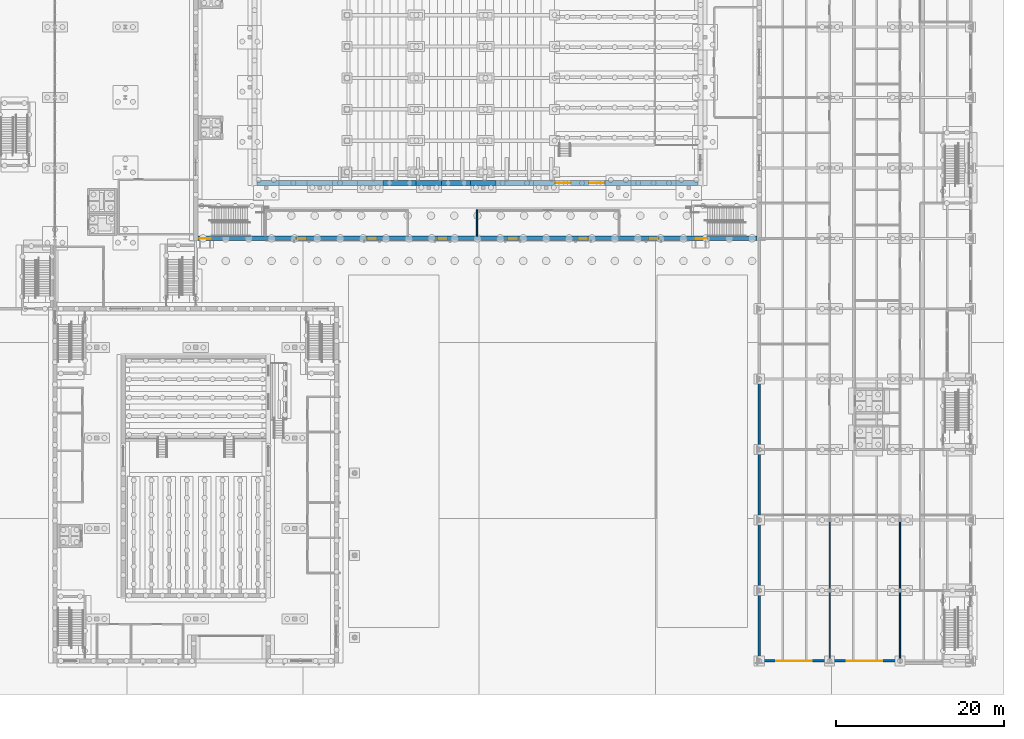
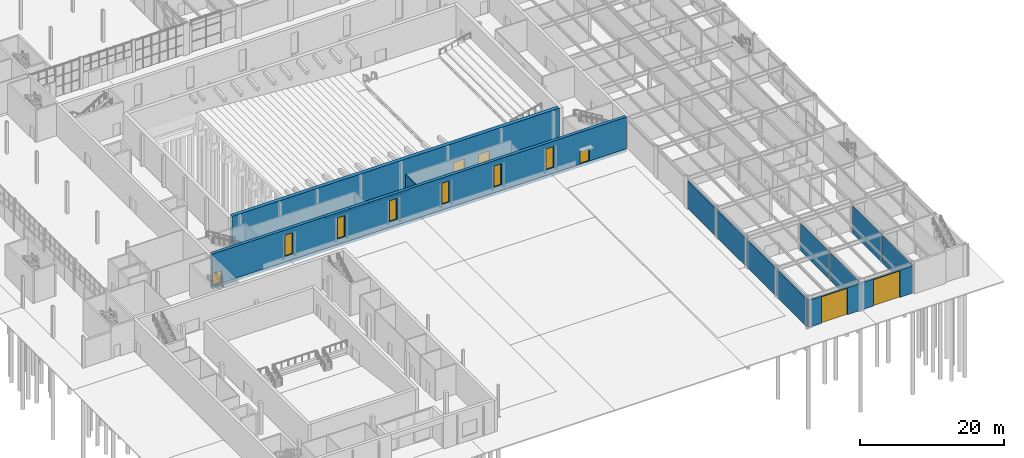
# One storey, part 60 of 127: 18 walls, 6 doors, 6 windows, 12 openings.
"""IFC4 building model written with IfcOpenShell, lengths in metres."""

from ifc_helpers import new_model, si_unit, direction, frame, frame_2d, origin, place, context, subcontext, project, spatial, rectangle, extrude, material, layer, layer_set, type_object, element, fill, save


model = new_model("IFC4")

# Units and contexts
model_context = context("Model", 3, precision=1e-05, world=origin(), true_north=direction((0.0, 1.0)))
body_context = subcontext(model_context, "Body", "Model", "MODEL_VIEW")
ifc_project = project(units=[si_unit("LENGTHUNIT", "METRE"), si_unit("AREAUNIT", "SQUARE_METRE"), si_unit("VOLUMEUNIT", "CUBIC_METRE"), si_unit("PLANEANGLEUNIT", "RADIAN"), si_unit("MASSUNIT", "GRAM", prefix="KILO")], contexts=[model_context])

# Site, building, storey
site_placement = place(None, origin())
site = spatial("IfcSite", under=ifc_project, at=site_placement, CompositionType="ELEMENT")
building_placement = place(site_placement, origin())
building = spatial("IfcBuilding", under=site, at=building_placement, Name="Ljudholm Concert House", CompositionType="ELEMENT")
storey_placement = place(building_placement, origin())
storey = spatial("IfcBuildingStorey", under=building, at=storey_placement, Name="L00", CompositionType="ELEMENT", Elevation=0.0)

# Walls
ifc_material_1 = material(Name="Gypsum board on steel studs", Category="steel")
ifc_layer_1 = layer(ifc_material_1, 0.14990234375)
ifc_layer_set_1 = layer_set([ifc_layer_1], Name="Gypsum board on steel studs")
wall_type_1 = type_object("IfcWallType", Name="GYPSUM PARTITION 150", PredefinedType="PARTITIONING", material=ifc_layer_set_1)
wall_1_placement = place(storey_placement, frame((62.72509765625, 54.64990234375, 0.0), z_axis=(0.0, 0.0, 1.0), x_axis=(0.0, 1.0, 0.0)))
element("IfcWall", 1, at=wall_1_placement, inside=storey, type_object=wall_type_1, Name="Acoustic Plant Room partition", PredefinedType="PARTITIONING", context=body_context, shape_type="SweptSolid", body=[
    extrude(rectangle(XDim=3.150146484375, YDim=0.14990234375, at=frame_2d((1.5751953125, 0.0))), origin(), (0.0, 0.0, 1.0), 5.14990234375),
])
for number, where, z_axis, x_axis, name in (
    (2, (104.800048828125, 4.186767578125, 0.0), (0.0, 0.0, 1.0), (0.0, 1.0, 0.0), "Partition"),
    (3, (104.800048828125, 12.586669921875, 0.0), (0.0, 0.0, 1.0), (0.0, 1.0, 0.0), "Partition"),
    (4, (113.199951171875, 4.186767578125, 0.0), (0.0, 0.0, 1.0), (0.0, 1.0, 0.0), "Partition"),
    (5, (113.199951171875, 12.586669921875, 0.0), (0.0, 0.0, 1.0), (0.0, 1.0, 0.0), "Partition"),
):
    element("IfcWall", number, at=place(storey_placement, frame(where, z_axis=z_axis, x_axis=x_axis)), inside=storey, type_object=wall_type_1, Name=name, PredefinedType="PARTITIONING", context=body_context, shape_type="SweptSolid", body=[
        extrude(rectangle(XDim=8.026611328125, YDim=0.14990234375, at=frame_2d((4.01318359375, 0.0))), origin(), (0.0, 0.0, 1.0), 4.6865234375),
    ])
ifc_material_2 = material(Name="Precast concrete 5,000 psi", Category="concrete")
ifc_layer_2 = layer(ifc_material_2, 0.300048828125)
ifc_layer_set_2 = layer_set([ifc_layer_2], Name="Precast concrete 5,000 psi")
wall_type_2 = type_object("IfcWallType", Name="PRECAST PANEL WALL 300", PredefinedType="SOLIDWALL", material=ifc_layer_set_2)
for number, where, z_axis, x_axis, name in (
    (6, (96.39990234375, 4.186767578125, 0.0), (0.0, 0.0, 1.0), (0.0, 1.0, 0.0), "Facade wall"),
    (7, (96.39990234375, 12.586669921875, 0.0), (0.0, 0.0, 1.0), (0.0, 1.0, 0.0), "Facade wall"),
):
    element("IfcWall", number, at=place(storey_placement, frame(where, z_axis=z_axis, x_axis=x_axis)), inside=storey, type_object=wall_type_2, Name=name, PredefinedType="SOLIDWALL", context=body_context, shape_type="SweptSolid", body=[
        extrude(rectangle(XDim=8.026611328125, YDim=0.300048828125, at=frame_2d((4.01318359375, 0.0))), origin(), (0.0, 0.0, 1.0), 4.6865234375),
    ])
wall_2_placement = place(storey_placement, frame((96.39990234375, 20.986572265625, 0.0), z_axis=(0.0, 0.0, 1.0), x_axis=(0.0, 1.0, 0.0)))
element("IfcWall", 8, at=wall_2_placement, inside=storey, type_object=wall_type_2, Name="Facade wall", PredefinedType="SOLIDWALL", context=body_context, shape_type="SweptSolid", body=[
    extrude(rectangle(XDim=8.02685546875, YDim=0.300048828125, at=frame_2d((4.013427734375, 0.0))), origin(), (0.0, 0.0, 1.0), 4.6865234375),
])
wall_3_placement = place(storey_placement, frame((96.39990234375, 29.38671875, 0.0), z_axis=(0.0, 0.0, 1.0), x_axis=(0.0, 1.0, 0.0)))
element("IfcWall", 9, at=wall_3_placement, inside=storey, type_object=wall_type_2, Name="Facade wall", PredefinedType="SOLIDWALL", context=body_context, shape_type="SweptSolid", body=[
    extrude(rectangle(XDim=8.026611328125, YDim=0.300048828125, at=frame_2d((4.01318359375, 0.0))), origin(), (0.0, 0.0, 1.0), 4.6865234375),
])

# Wall, opening, door
wall_4_placement = place(storey_placement, frame((96.408203125, 4.0, 0.0), z_axis=(0.0, 0.0, 1.0), x_axis=(1.0, 0.0, 0.0)))
wall_4 = element("IfcWall", 10, at=wall_4_placement, inside=storey, type_object=wall_type_2, Name="Facade wall", PredefinedType="SOLIDWALL", context=body_context, shape_type="SweptSolid", body=[
    extrude(rectangle(XDim=8.39990234375, YDim=0.300048828125, at=frame_2d((4.199951171875, 0.0))), origin(), (0.0, 0.0, 1.0), 4.60791015625),
])
opening_1_placement = place(wall_4_placement, frame((2.041748046875, 0.0, 0.0)))
opening_1 = element("IfcOpeningElement", 11, at=opening_1_placement, cuts=wall_4, Name="Opening D-W00-007", PredefinedType="OPENING", context=body_context, shape_type="SweptSolid", body=[
    extrude(rectangle(XDim=4.199951171875, YDim=4.5, at=frame_2d((2.10009765625, 2.25))), frame((0.0, 0.159912109375, 0.0), z_axis=(0.0, -1.0, 0.0), x_axis=(1.0, 0.0, 0.0)), (0.0, 0.0, 1.0), 0.320068359375),
])
ifc_material_3 = material(Name="Hollow metal door in steel frame", Category="steel")
door_type_1 = type_object("IfcDoorType", Name="ROLLUP DOOR 4200x4500", OperationType="ROLLINGUP", PredefinedType="DOOR", material=ifc_material_3)
door_1_placement = place(opening_1_placement, frame((4.199951171875, 0.0, 0.0), z_axis=(0.0, 0.0, 1.0), x_axis=(-1.0, 0.0, 0.0)))
door_1 = element("IfcDoor", 12, at=door_1_placement, inside=storey, type_object=door_type_1, Name="Overhead door", OperationType="ROLLINGUP", OverallHeight=4.5, OverallWidth=4.199951171875, PredefinedType="DOOR", context=body_context, shape_type="SweptSolid", body=[
    extrude(rectangle(XDim=4.199951171875, YDim=4.5, at=frame_2d((2.10009765625, 2.25))), frame((0.0, 0.02490234375, 0.0), z_axis=(0.0, -1.0, 0.0), x_axis=(1.0, 0.0, 0.0)), (0.0, 0.0, 1.0), 0.050048828125),
])
fill(opening_1, door_1)

wall_5_placement = place(storey_placement, frame((104.791748046875, 4.0, 0.0), z_axis=(0.0, 0.0, 1.0), x_axis=(1.0, 0.0, 0.0)))
wall_5 = element("IfcWall", 13, at=wall_5_placement, inside=storey, type_object=wall_type_2, Name="Facade wall", PredefinedType="SOLIDWALL", context=body_context, shape_type="SweptSolid", body=[
    extrude(rectangle(XDim=8.400146484375, YDim=0.300048828125, at=frame_2d((4.2001953125, 0.0))), origin(), (0.0, 0.0, 1.0), 4.60791015625),
])
opening_2_placement = place(wall_5_placement, frame((2.05810546875, 0.0, 0.0)))
opening_2 = element("IfcOpeningElement", 14, at=opening_2_placement, cuts=wall_5, Name="Opening D-W00-008", PredefinedType="OPENING", context=body_context, shape_type="SweptSolid", body=[
    extrude(rectangle(XDim=4.199951171875, YDim=4.5, at=frame_2d((2.10009765625, 2.25))), frame((0.0, 0.159912109375, 0.0), z_axis=(0.0, -1.0, 0.0), x_axis=(1.0, 0.0, 0.0)), (0.0, 0.0, 1.0), 0.320068359375),
])
door_2_placement = place(opening_2_placement, frame((4.199951171875, 0.0, 0.0), z_axis=(0.0, 0.0, 1.0), x_axis=(-1.0, 0.0, 0.0)))
door_2 = element("IfcDoor", 15, at=door_2_placement, inside=storey, type_object=door_type_1, Name="Overhead door", OperationType="ROLLINGUP", OverallHeight=4.5, OverallWidth=4.199951171875, PredefinedType="DOOR", context=body_context, shape_type="SweptSolid", body=[
    extrude(rectangle(XDim=4.199951171875, YDim=4.5, at=frame_2d((2.10009765625, 2.25))), frame((0.0, 0.02490234375, 0.0), z_axis=(0.0, -1.0, 0.0), x_axis=(1.0, 0.0, 0.0)), (0.0, 0.0, 1.0), 0.050048828125),
])
fill(opening_2, door_2)

# Wall, openings, doors, windows
ifc_material_4 = material(Name="Concrete 6,500 psi", Category="concrete")
ifc_layer_3 = layer(ifc_material_4, 0.5)
ifc_layer_set_3 = layer_set([ifc_layer_3], Name="Concrete 6,500 psi")
wall_type_3 = type_object("IfcWallType", Name="RC WALL 500", PredefinedType="SOLIDWALL", material=ifc_layer_set_3)
wall_6_placement = place(storey_placement, frame((29.449951171875, 54.39990234375, 0.0), z_axis=(0.0, 0.0, 1.0), x_axis=(1.0, 0.0, 0.0)))
wall_6 = element("IfcWall", 16, at=wall_6_placement, inside=storey, type_object=wall_type_3, Name="Outer wall S", PredefinedType="SOLIDWALL", context=body_context, shape_type="SweptSolid", body=[
    extrude(rectangle(XDim=66.699951171875, YDim=0.5, at=frame_2d((33.35009765625, 0.0))), origin(), (0.0, 0.0, 1.0), 5.39990234375),
])
opening_3_placement = place(wall_6_placement, frame((11.75, 0.0, 0.89990234375)))
opening_3 = element("IfcOpeningElement", 17, at=opening_3_placement, cuts=wall_6, Name="Opening X-H00-001", PredefinedType="OPENING", context=body_context, shape_type="SweptSolid", body=[
    extrude(rectangle(XDim=1.199951171875, YDim=3.60009765625, at=frame_2d((0.60009765625, 1.800048828125))), frame((0.0, 0.260009765625, 0.0), z_axis=(0.0, -1.0, 0.0), x_axis=(1.0, 0.0, 0.0)), (0.0, 0.0, 1.0), 0.52001953125),
])
opening_4_placement = place(wall_6_placement, frame((20.14990234375, 0.0, 0.89990234375)))
opening_4 = element("IfcOpeningElement", 18, at=opening_4_placement, cuts=wall_6, Name="Opening X-H00-002", PredefinedType="OPENING", context=body_context, shape_type="SweptSolid", body=[
    extrude(rectangle(XDim=1.199951171875, YDim=3.60009765625, at=frame_2d((0.60009765625, 1.800048828125))), frame((0.0, 0.260009765625, 0.0), z_axis=(0.0, -1.0, 0.0), x_axis=(1.0, 0.0, 0.0)), (0.0, 0.0, 1.0), 0.52001953125),
])
opening_5_placement = place(wall_6_placement, frame((28.550048828125, 0.0, 0.89990234375)))
opening_5 = element("IfcOpeningElement", 19, at=opening_5_placement, cuts=wall_6, Name="Opening X-H00-003", PredefinedType="OPENING", context=body_context, shape_type="SweptSolid", body=[
    extrude(rectangle(XDim=1.199951171875, YDim=3.60009765625, at=frame_2d((0.60009765625, 1.800048828125))), frame((0.0, 0.260009765625, 0.0), z_axis=(0.0, -1.0, 0.0), x_axis=(1.0, 0.0, 0.0)), (0.0, 0.0, 1.0), 0.52001953125),
])
opening_6_placement = place(wall_6_placement, frame((36.949951171875, 0.0, 0.89990234375)))
opening_6 = element("IfcOpeningElement", 20, at=opening_6_placement, cuts=wall_6, Name="Opening X-H00-004", PredefinedType="OPENING", context=body_context, shape_type="SweptSolid", body=[
    extrude(rectangle(XDim=1.199951171875, YDim=3.60009765625, at=frame_2d((0.60009765625, 1.800048828125))), frame((0.0, 0.260009765625, 0.0), z_axis=(0.0, -1.0, 0.0), x_axis=(1.0, 0.0, 0.0)), (0.0, 0.0, 1.0), 0.52001953125),
])
opening_7_placement = place(wall_6_placement, frame((45.35009765625, 0.0, 0.89990234375)))
opening_7 = element("IfcOpeningElement", 21, at=opening_7_placement, cuts=wall_6, Name="Opening X-H00-005", PredefinedType="OPENING", context=body_context, shape_type="SweptSolid", body=[
    extrude(rectangle(XDim=1.199951171875, YDim=3.60009765625, at=frame_2d((0.60009765625, 1.800048828125))), frame((0.0, 0.260009765625, 0.0), z_axis=(0.0, -1.0, 0.0), x_axis=(1.0, 0.0, 0.0)), (0.0, 0.0, 1.0), 0.52001953125),
])
opening_8_placement = place(wall_6_placement, frame((53.75, 0.0, 0.89990234375)))
opening_8 = element("IfcOpeningElement", 22, at=opening_8_placement, cuts=wall_6, Name="Opening X-H00-006", PredefinedType="OPENING", context=body_context, shape_type="SweptSolid", body=[
    extrude(rectangle(XDim=1.199951171875, YDim=3.60009765625, at=frame_2d((0.60009765625, 1.800048828125))), frame((0.0, 0.260009765625, 0.0), z_axis=(0.0, -1.0, 0.0), x_axis=(1.0, 0.0, 0.0)), (0.0, 0.0, 1.0), 0.52001953125),
])
opening_9_placement = place(wall_6_placement, frame((0.10009765625, 0.0, 0.0)))
opening_9 = element("IfcOpeningElement", 23, at=opening_9_placement, cuts=wall_6, Name="Opening D-H00-007", PredefinedType="OPENING", context=body_context, shape_type="SweptSolid", body=[
    extrude(rectangle(XDim=1.5, YDim=2.10009765625, at=frame_2d((0.75, 1.050048828125))), frame((0.0, 0.260009765625, 0.0), z_axis=(0.0, -1.0, 0.0), x_axis=(1.0, 0.0, 0.0)), (0.0, 0.0, 1.0), 0.52001953125),
])
opening_10_placement = place(wall_6_placement, frame((59.199951171875, 0.0, 0.0)))
opening_10 = element("IfcOpeningElement", 24, at=opening_10_placement, cuts=wall_6, Name="Opening D-H00-011", PredefinedType="OPENING", context=body_context, shape_type="SweptSolid", body=[
    extrude(rectangle(XDim=1.5, YDim=2.10009765625, at=frame_2d((0.75, 1.050048828125))), frame((0.0, 0.260009765625, 0.0), z_axis=(0.0, -1.0, 0.0), x_axis=(1.0, 0.0, 0.0)), (0.0, 0.0, 1.0), 0.52001953125),
])
ifc_material_5 = material(Name="Hollow metal door in steel frame", Category="steel")
door_type_2 = type_object("IfcDoorType", Name="DOUBLE DOOR 1500x2100", OperationType="DOUBLE_DOOR_SINGLE_SWING", PredefinedType="DOOR", material=ifc_material_5)
door_3_placement = place(opening_9_placement, frame((1.5, 0.0, 0.0), z_axis=(0.0, 0.0, 1.0), x_axis=(-1.0, 0.0, 0.0)))
door_3 = element("IfcDoor", 25, at=door_3_placement, inside=storey, type_object=door_type_2, Name="Final exit EH1", OperationType="DOUBLE_DOOR_SINGLE_SWING", OverallHeight=2.10009765625, OverallWidth=1.5, PredefinedType="DOOR", context=body_context, shape_type="SweptSolid", body=[
    extrude(rectangle(XDim=1.5, YDim=2.10009765625, at=frame_2d((0.75, 1.050048828125))), frame((0.0, 0.02490234375, 0.0), z_axis=(0.0, -1.0, 0.0), x_axis=(1.0, 0.0, 0.0)), (0.0, 0.0, 1.0), 0.050048828125),
])
fill(opening_9, door_3)
door_4_placement = place(opening_10_placement, frame((1.5, 0.0, 0.0), z_axis=(0.0, 0.0, 1.0), x_axis=(-1.0, 0.0, 0.0)))
door_4 = element("IfcDoor", 26, at=door_4_placement, inside=storey, type_object=door_type_2, Name="Final exit EH3", OperationType="DOUBLE_DOOR_SINGLE_SWING", OverallHeight=2.10009765625, OverallWidth=1.5, PredefinedType="DOOR", context=body_context, shape_type="SweptSolid", body=[
    extrude(rectangle(XDim=1.5, YDim=2.10009765625, at=frame_2d((0.75, 1.050048828125))), frame((0.0, 0.02490234375, 0.0), z_axis=(0.0, -1.0, 0.0), x_axis=(1.0, 0.0, 0.0)), (0.0, 0.0, 1.0), 0.050048828125),
])
fill(opening_10, door_4)
ifc_material_6 = material(Name="Aluminium frame, impact glazing", Category="aluminium")
window_type = type_object("IfcWindowType", Name="FIXED WINDOW 1200x3600", PartitioningType="SINGLE_PANEL", PredefinedType="WINDOW", material=ifc_material_6)
window_1_placement = place(opening_3_placement, origin())
window_1 = element("IfcWindow", 27, at=window_1_placement, inside=storey, type_object=window_type, Name="Slot window", OverallHeight=3.60009765625, OverallWidth=1.199951171875, PartitioningType="SINGLE_PANEL", PredefinedType="WINDOW", context=body_context, shape_type="SweptSolid", body=[
    extrude(rectangle(XDim=1.199951171875, YDim=3.60009765625, at=frame_2d((0.60009765625, 1.800048828125))), frame((0.0, 0.030029296875, 0.0), z_axis=(0.0, -1.0, 0.0), x_axis=(1.0, 0.0, 0.0)), (0.0, 0.0, 1.0), 0.06005859375),
])
fill(opening_3, window_1)
window_2_placement = place(opening_4_placement, origin())
window_2 = element("IfcWindow", 28, at=window_2_placement, inside=storey, type_object=window_type, Name="Slot window", OverallHeight=3.60009765625, OverallWidth=1.199951171875, PartitioningType="SINGLE_PANEL", PredefinedType="WINDOW", context=body_context, shape_type="SweptSolid", body=[
    extrude(rectangle(XDim=1.199951171875, YDim=3.60009765625, at=frame_2d((0.60009765625, 1.800048828125))), frame((0.0, 0.030029296875, 0.0), z_axis=(0.0, -1.0, 0.0), x_axis=(1.0, 0.0, 0.0)), (0.0, 0.0, 1.0), 0.06005859375),
])
fill(opening_4, window_2)
window_3_placement = place(opening_5_placement, origin())
window_3 = element("IfcWindow", 29, at=window_3_placement, inside=storey, type_object=window_type, Name="Slot window", OverallHeight=3.60009765625, OverallWidth=1.199951171875, PartitioningType="SINGLE_PANEL", PredefinedType="WINDOW", context=body_context, shape_type="SweptSolid", body=[
    extrude(rectangle(XDim=1.199951171875, YDim=3.60009765625, at=frame_2d((0.60009765625, 1.800048828125))), frame((0.0, 0.030029296875, 0.0), z_axis=(0.0, -1.0, 0.0), x_axis=(1.0, 0.0, 0.0)), (0.0, 0.0, 1.0), 0.06005859375),
])
fill(opening_5, window_3)
window_4_placement = place(opening_6_placement, origin())
window_4 = element("IfcWindow", 30, at=window_4_placement, inside=storey, type_object=window_type, Name="Slot window", OverallHeight=3.60009765625, OverallWidth=1.199951171875, PartitioningType="SINGLE_PANEL", PredefinedType="WINDOW", context=body_context, shape_type="SweptSolid", body=[
    extrude(rectangle(XDim=1.199951171875, YDim=3.60009765625, at=frame_2d((0.60009765625, 1.800048828125))), frame((0.0, 0.030029296875, 0.0), z_axis=(0.0, -1.0, 0.0), x_axis=(1.0, 0.0, 0.0)), (0.0, 0.0, 1.0), 0.06005859375),
])
fill(opening_6, window_4)
window_5_placement = place(opening_7_placement, origin())
window_5 = element("IfcWindow", 31, at=window_5_placement, inside=storey, type_object=window_type, Name="Slot window", OverallHeight=3.60009765625, OverallWidth=1.199951171875, PartitioningType="SINGLE_PANEL", PredefinedType="WINDOW", context=body_context, shape_type="SweptSolid", body=[
    extrude(rectangle(XDim=1.199951171875, YDim=3.60009765625, at=frame_2d((0.60009765625, 1.800048828125))), frame((0.0, 0.030029296875, 0.0), z_axis=(0.0, -1.0, 0.0), x_axis=(1.0, 0.0, 0.0)), (0.0, 0.0, 1.0), 0.06005859375),
])
fill(opening_7, window_5)
window_6_placement = place(opening_8_placement, origin())
window_6 = element("IfcWindow", 32, at=window_6_placement, inside=storey, type_object=window_type, Name="Slot window", OverallHeight=3.60009765625, OverallWidth=1.199951171875, PartitioningType="SINGLE_PANEL", PredefinedType="WINDOW", context=body_context, shape_type="SweptSolid", body=[
    extrude(rectangle(XDim=1.199951171875, YDim=3.60009765625, at=frame_2d((0.60009765625, 1.800048828125))), frame((0.0, 0.030029296875, 0.0), z_axis=(0.0, -1.0, 0.0), x_axis=(1.0, 0.0, 0.0)), (0.0, 0.0, 1.0), 0.06005859375),
])
fill(opening_8, window_6)

# Wall
ifc_material_7 = material(Name="Concrete 6,500 psi", Category="concrete")
ifc_layer_4 = layer(ifc_material_7, 0.5)
ifc_layer_set_4 = layer_set([ifc_layer_4], Name="Concrete 6,500 psi")
wall_type_4 = type_object("IfcWallType", Name="RC WALL 500 INTERNAL", PredefinedType="SOLIDWALL", material=ifc_layer_set_4)
wall_7_placement = place(storey_placement, frame((29.449951171875, 54.39990234375, -0.5), z_axis=(0.0, 0.0, 1.0), x_axis=(1.0, 0.0, 0.0)))
element("IfcWall", 33, at=wall_7_placement, inside=storey, type_object=wall_type_4, Name="Wall stem", PredefinedType="SOLIDWALL", context=body_context, shape_type="SweptSolid", body=[
    extrude(rectangle(XDim=66.699951171875, YDim=0.5, at=frame_2d((33.35009765625, 0.0))), origin(), (0.0, 0.0, 1.0), 0.5),
])

# Wall, openings, doors
ifc_material_8 = material(Name="Concrete 6,500 psi", Category="concrete")
ifc_layer_5 = layer(ifc_material_8, 0.60009765625)
ifc_layer_set_5 = layer_set([ifc_layer_5], Name="Concrete 6,500 psi")
wall_type_5 = type_object("IfcWallType", Name="RC WALL 600", PredefinedType="SOLIDWALL", material=ifc_layer_set_5)
wall_8_placement = place(storey_placement, frame((36.5, 61.0, 0.0), z_axis=(0.0, 0.0, 1.0), x_axis=(1.0, 0.0, 0.0)))
wall_8 = element("IfcWall", 34, at=wall_8_placement, inside=storey, type_object=wall_type_5, Name="Inner box wall S", PredefinedType="SOLIDWALL", context=body_context, shape_type="SweptSolid", body=[
    extrude(rectangle(XDim=52.60009765625, YDim=0.60009765625, at=frame_2d((26.300048828125, 0.0))), origin(), (0.0, 0.0, 1.0), 5.39990234375),
])
opening_11_placement = place(wall_8_placement, frame((35.60009765625, 0.0, 0.0)))
opening_11 = element("IfcOpeningElement", 35, at=opening_11_placement, cuts=wall_8, Name="Opening D-H00-020", PredefinedType="OPENING", context=body_context, shape_type="SweptSolid", body=[
    extrude(rectangle(XDim=1.800048828125, YDim=2.10009765625, at=frame_2d((0.89990234375, 1.050048828125))), frame((0.0, 0.31005859375, 0.0), z_axis=(0.0, -1.0, 0.0), x_axis=(1.0, 0.0, 0.0)), (0.0, 0.0, 1.0), 0.6201171875),
])
opening_12_placement = place(wall_8_placement, frame((39.60009765625, 0.0, 0.0)))
opening_12 = element("IfcOpeningElement", 36, at=opening_12_placement, cuts=wall_8, Name="Opening D-H00-021", PredefinedType="OPENING", context=body_context, shape_type="SweptSolid", body=[
    extrude(rectangle(XDim=1.800048828125, YDim=2.10009765625, at=frame_2d((0.89990234375, 1.050048828125))), frame((0.0, 0.31005859375, 0.0), z_axis=(0.0, -1.0, 0.0), x_axis=(1.0, 0.0, 0.0)), (0.0, 0.0, 1.0), 0.6201171875),
])
ifc_material_9 = material(Name="Hollow metal door in steel frame", Category="steel")
door_type_3 = type_object("IfcDoorType", Name="DOUBLE DOOR 1800x2100", OperationType="DOUBLE_DOOR_SINGLE_SWING", PredefinedType="DOOR", material=ifc_material_9)
door_5_placement = place(opening_11_placement, origin())
door_5 = element("IfcDoor", 37, at=door_5_placement, inside=storey, type_object=door_type_3, Name="Hall door", OperationType="DOUBLE_DOOR_SINGLE_SWING", OverallHeight=2.10009765625, OverallWidth=1.800048828125, PredefinedType="DOOR", context=body_context, shape_type="SweptSolid", body=[
    extrude(rectangle(XDim=1.800048828125, YDim=2.10009765625, at=frame_2d((0.89990234375, 1.050048828125))), frame((0.0, 0.02490234375, 0.0), z_axis=(0.0, -1.0, 0.0), x_axis=(1.0, 0.0, 0.0)), (0.0, 0.0, 1.0), 0.050048828125),
])
fill(opening_11, door_5)
door_6_placement = place(opening_12_placement, origin())
door_6 = element("IfcDoor", 38, at=door_6_placement, inside=storey, type_object=door_type_3, Name="Hall door", OperationType="DOUBLE_DOOR_SINGLE_SWING", OverallHeight=2.10009765625, OverallWidth=1.800048828125, PredefinedType="DOOR", context=body_context, shape_type="SweptSolid", body=[
    extrude(rectangle(XDim=1.800048828125, YDim=2.10009765625, at=frame_2d((0.89990234375, 1.050048828125))), frame((0.0, 0.02490234375, 0.0), z_axis=(0.0, -1.0, 0.0), x_axis=(1.0, 0.0, 0.0)), (0.0, 0.0, 1.0), 0.050048828125),
])
fill(opening_12, door_6)

# Walls
for number, where, z_axis, x_axis, name in (
    (39, (55.47998046875, 61.0, -0.300048828125), (0.0, 0.0, 1.0), (1.0, 0.0, 0.0), "Wall stem"),
    (40, (61.97998046875, 61.0, -0.300048828125), (0.0, 0.0, 1.0), (1.0, 0.0, 0.0), "Wall stem"),
):
    element("IfcWall", number, at=place(storey_placement, frame(where, z_axis=z_axis, x_axis=x_axis)), inside=storey, type_object=wall_type_5, Name=name, PredefinedType="SOLIDWALL", context=body_context, shape_type="SweptSolid", body=[
        extrude(rectangle(XDim=3.0400390625, YDim=0.60009765625, at=frame_2d((1.52001953125, 0.0))), origin(), (0.0, 0.0, 1.0), 0.300048828125),
    ])
wall_9_placement = place(storey_placement, frame((51.52001953125, 61.0, -0.300048828125), z_axis=(0.0, 0.0, 1.0), x_axis=(1.0, 0.0, 0.0)))
element("IfcWall", 41, at=wall_9_placement, inside=storey, type_object=wall_type_5, Name="Wall stem", PredefinedType="SOLIDWALL", context=body_context, shape_type="SweptSolid", body=[
    extrude(rectangle(XDim=3.9599609375, YDim=0.60009765625, at=frame_2d((1.97998046875, 0.0))), origin(), (0.0, 0.0, 1.0), 0.300048828125),
])
wall_10_placement = place(storey_placement, frame((58.52001953125, 61.0, -0.300048828125), z_axis=(0.0, 0.0, 1.0), x_axis=(1.0, 0.0, 0.0)))
element("IfcWall", 42, at=wall_10_placement, inside=storey, type_object=wall_type_5, Name="Wall stem", PredefinedType="SOLIDWALL", context=body_context, shape_type="SweptSolid", body=[
    extrude(rectangle(XDim=3.4599609375, YDim=0.60009765625, at=frame_2d((1.72998046875, 0.0))), origin(), (0.0, 0.0, 1.0), 0.300048828125),
])

save(model, "model.ifc")
